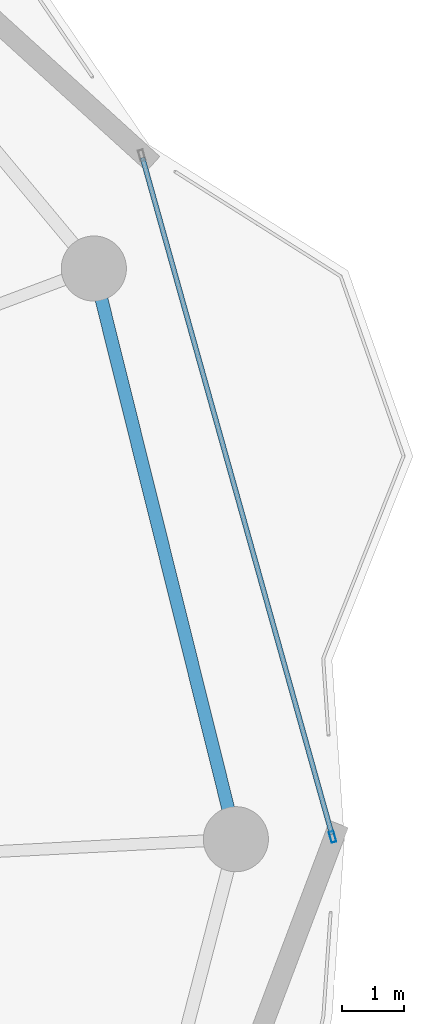
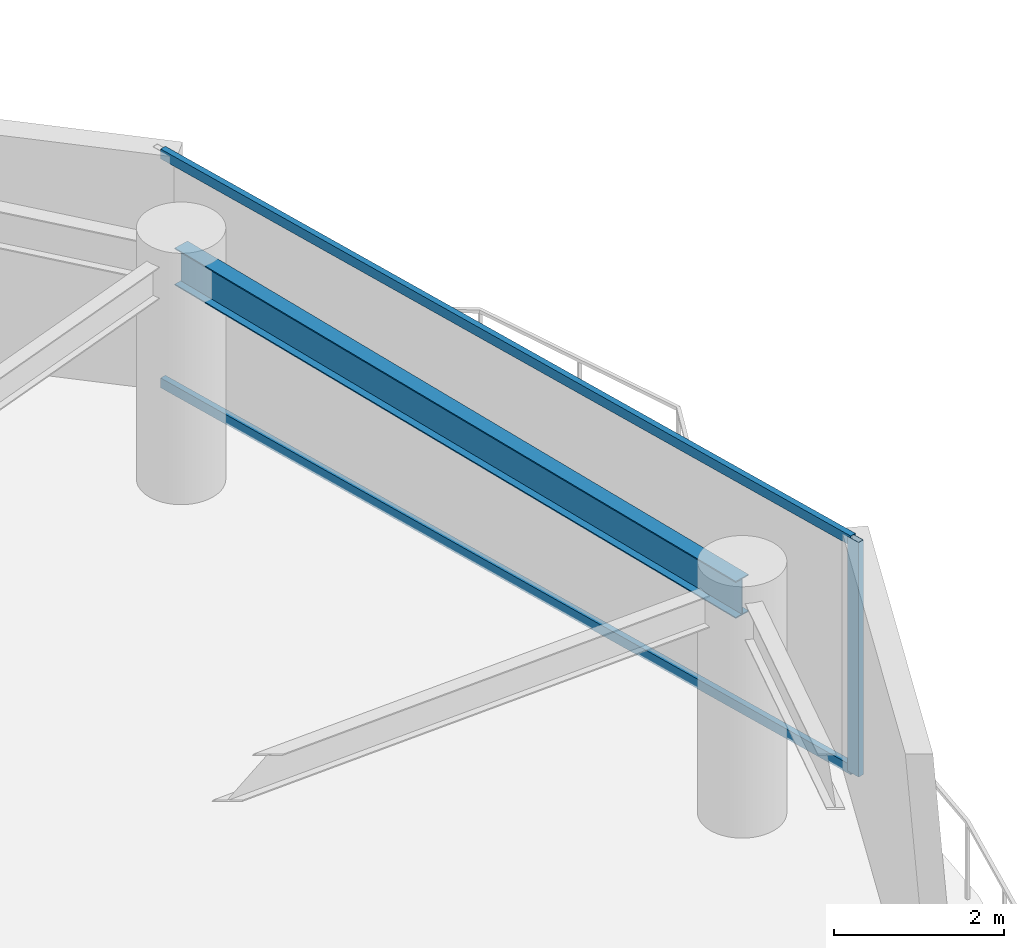
# One storey, part 15 of 28: 3 members, 1 beam, 1 element without a shape of its own.
"""IFC4 building model written with IfcOpenShell, lengths in metres."""

from ifc_helpers import new_model, si_unit, direction, frame, origin, origin_2d, place, context, subcontext, project, spatial, hollow_rectangle, i_section, extrude, material, layer, layer_set, material_profile, profile_set, type_object, element, aggregate, save


model = new_model("IFC4")

# Units and contexts
model_context = context("Model", 3, precision=1e-05, world=origin(), true_north=direction((0.0, 1.0)))
body_context = subcontext(model_context, "Body", "Model", "MODEL_VIEW")
ifc_project = project(units=[si_unit("LENGTHUNIT", "METRE"), si_unit("AREAUNIT", "SQUARE_METRE"), si_unit("VOLUMEUNIT", "CUBIC_METRE"), si_unit("PLANEANGLEUNIT", "RADIAN"), si_unit("MASSUNIT", "GRAM", prefix="KILO")], contexts=[model_context])

# Site, building, storey
site_placement = place(None, origin())
site = spatial("IfcSite", under=ifc_project, at=site_placement, CompositionType="ELEMENT")
building_placement = place(site_placement, origin())
building = spatial("IfcBuilding", under=site, at=building_placement, Name="Kazevale Care Tower and Concert Hall", CompositionType="ELEMENT")
storey_placement = place(building_placement, frame((0.0, 0.0, 246.0)))
storey = spatial("IfcBuildingStorey", under=building, at=storey_placement, Name="L65", CompositionType="ELEMENT", Elevation=246.0)

# Curtain wall, members
ifc_material_1 = material(Name="Aluminium 6063-T6 and Low-E Glass", Category="aluminium")
ifc_layer = layer(ifc_material_1, 0.179931640625)
ifc_layer_set = layer_set([ifc_layer], Name="Aluminium 6063-T6 and Low-E Glass")
curtain_wall_type = type_object("IfcCurtainWallType", Name="Waist & Upper Residential Curtain Wall CW-4", PredefinedType="NOTDEFINED", material=ifc_layer_set)
curtain_wall_placement = place(storey_placement, origin())
curtain_wall = element("IfcCurtainWall", 1, at=curtain_wall_placement, inside=storey, type_object=curtain_wall_type, Name="cw:L65:f18", PredefinedType="NOTDEFINED")
ifc_material_2 = material(Name="Aluminium 6063-T6", Category="aluminium")
ifc_material_profile_1 = material_profile(ifc_material_2, hollow_rectangle(XDim=0.080078125, YDim=0.179931640625, WallThickness=0.0048828125, at=origin_2d()), Name="ALU80x180x5")
ifc_profile_set_1 = profile_set([ifc_material_profile_1], Name="Aluminium 6063-T6")
member_type_1 = type_object("IfcMemberType", Name="CW-4 Mullion ALU80x180x5", PredefinedType="MULLION", material=ifc_profile_set_1)
member_1_placement = place(storey_placement, frame((76.609130859375, 38.03857421875, 0.0), z_axis=(0.0, 0.0, 1.0), x_axis=(0.962972156211, 0.269600864915, 0.0)))
member_1 = element("IfcMember", 2, at=member_1_placement, type_object=member_type_1, Name="CW-4 mullion 2", PredefinedType="MULLION", context=body_context, shape_type="SweptSolid", body=[
    extrude(hollow_rectangle(XDim=0.080078125, YDim=0.179931640625, WallThickness=0.0048828125, at=origin_2d()), origin(), (0.0, 0.0, 1.0), 3.360107421875),
])
ifc_material_profile_2 = material_profile(ifc_material_2, hollow_rectangle(XDim=0.080078125, YDim=0.139892578125, WallThickness=0.00390625, at=origin_2d()), Name="ALU80x140x4")
ifc_profile_set_2 = profile_set([ifc_material_profile_2], Name="Aluminium 6063-T6")
member_type_2 = type_object("IfcMemberType", Name="CW-4 Transom ALU80x140x4", PredefinedType="USERDEFINED", material=ifc_profile_set_2)
member_2_placement = place(storey_placement, frame((73.544677734375, 48.98486328125, 0.0400390625), z_axis=(0.269593149795, -0.96297431616, 0.0), x_axis=(0.96297431616, 0.269593149795, 0.0)))
member_2 = element("IfcMember", 3, at=member_2_placement, type_object=member_type_2, Name="CW-4 transom 1.1", ObjectType="TRANSOM", PredefinedType="USERDEFINED", context=body_context, shape_type="SweptSolid", body=[
    extrude(hollow_rectangle(XDim=0.080078125, YDim=0.139892578125, WallThickness=0.00390625, at=origin_2d()), origin(), (0.0, 0.0, 1.0), 11.3271484375),
])
member_3_placement = place(storey_placement, frame((73.544677734375, 48.98486328125, 3.320068359375), z_axis=(0.269593149795, -0.96297431616, 0.0), x_axis=(0.96297431616, 0.269593149795, 0.0)))
member_3 = element("IfcMember", 4, at=member_3_placement, type_object=member_type_2, Name="CW-4 transom 1.2", ObjectType="TRANSOM", PredefinedType="USERDEFINED", context=body_context, shape_type="SweptSolid", body=[
    extrude(hollow_rectangle(XDim=0.080078125, YDim=0.139892578125, WallThickness=0.00390625, at=origin_2d()), origin(), (0.0, 0.0, 1.0), 11.3271484375),
])
aggregate(curtain_wall, [member_1, member_2, member_3])

# Beam
ifc_material_3 = material(Name="Steel ASTM A572 Gr 50", Category="steel")
ifc_material_profile_3 = material_profile(ifc_material_3, i_section(OverallWidth=0.208984375, OverallDepth=0.532958984375, WebThickness=0.01025390625, FlangeThickness=0.015625, at=origin_2d()), Name="W530x92")
ifc_profile_set_3 = profile_set([ifc_material_profile_3], Name="Steel ASTM A572 Gr 50")
beam_type = type_object("IfcBeamType", Name="Upper Ring Beam W530x92", PredefinedType="BEAM", material=ifc_profile_set_3)
beam_placement = place(storey_placement, frame((75.050048828125, 38.0, 3.093505859375), z_axis=(-0.241547858543, 0.970388907621, 0.0), x_axis=(-0.970388907621, -0.241547858543, 0.0)))
element("IfcBeam", 5, at=beam_placement, inside=storey, type_object=beam_type, Name="beam:L65:ring:01", PredefinedType="BEAM", context=body_context, shape_type="SweptSolid", body=[
    extrude(i_section(OverallWidth=0.208984375, OverallDepth=0.532958984375, WebThickness=0.01025390625, FlangeThickness=0.015625, at=origin_2d()), origin(), (0.0, 0.0, 1.0), 9.480712890625),
])

save(model, "model.ifc")
